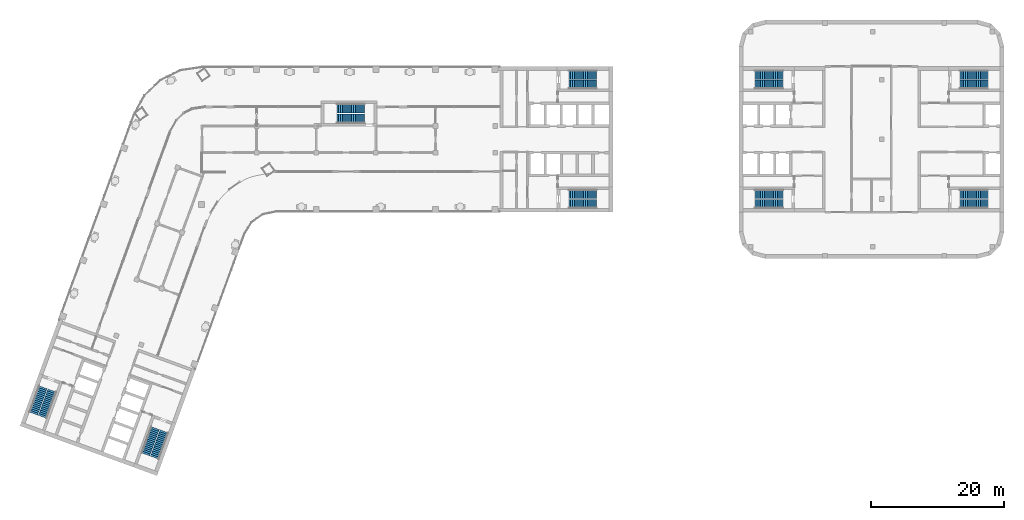
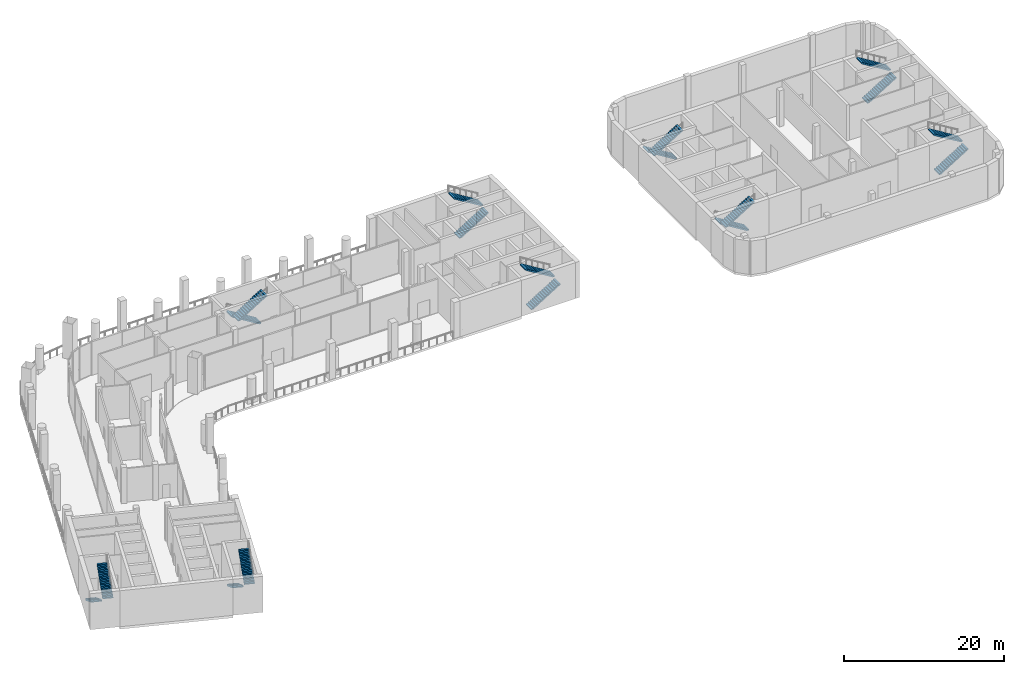
# One storey, part 15 of 19: 18 stair flights, 9 elements without a shape of their own.
"""IFC4 building model written with IfcOpenShell, lengths in metres."""

from ifc_helpers import new_model, si_unit, direction, frame, origin, place, context, subcontext, project, spatial, polyline, outline, extrude, material, type_object, element, aggregate, save


model = new_model("IFC4")

# Units and contexts
model_context = context("Model", 3, precision=1e-05, world=origin(), true_north=direction((0.0, 1.0)))
body_context = subcontext(model_context, "Body", "Model", "MODEL_VIEW")
ifc_project = project(units=[si_unit("LENGTHUNIT", "METRE"), si_unit("AREAUNIT", "SQUARE_METRE"), si_unit("VOLUMEUNIT", "CUBIC_METRE"), si_unit("PLANEANGLEUNIT", "RADIAN"), si_unit("MASSUNIT", "GRAM", prefix="KILO")], contexts=[model_context])

# Site, building, storey
site_placement = place(None, origin())
site = spatial("IfcSite", under=ifc_project, at=site_placement, CompositionType="ELEMENT")
building_placement = place(site_placement, origin())
building = spatial("IfcBuilding", under=site, at=building_placement, Name="Skarvind Civic Tower", CompositionType="ELEMENT")
storey_placement = place(building_placement, frame((0.0, 0.0, 75.5)))
storey = spatial("IfcBuildingStorey", under=building, at=storey_placement, Name="L17", CompositionType="ELEMENT", Elevation=75.5)

# Stair, stair flights
ifc_material = material(Name="Concrete C40/50", Category="concrete")
stair_type_1 = type_object("IfcStairType", Name="Exit stair 1450, half-turn, concrete", PredefinedType="HALF_TURN_STAIR", material=ifc_material)
stair_1_placement = place(storey_placement, origin())
stair_1 = element("IfcStair", 1, at=stair_1_placement, inside=storey, type_object=stair_type_1, Name="Exit stair CM", PredefinedType="HALF_TURN_STAIR")
stair_flight_type_1 = type_object("IfcStairFlightType", Name="Stair flight 1450, concrete", PredefinedType="STRAIGHT", material=ifc_material)
stair_flight_1_placement = place(storey_placement, frame((70.550048828125, 132.675048828125, 0.0), z_axis=(0.0, 0.0, 1.0), x_axis=(-1.0, 0.0, 0.0)))
stair_flight_1 = element("IfcStairFlight", 2, at=stair_flight_1_placement, type_object=stair_flight_type_1, Name="ST-CM flight 1", NumberOfRisers=16, NumberOfTreads=15, PredefinedType="STRAIGHT", RiserHeight=0.171875, TreadLength=0.28, context=body_context, shape_type="SweptSolid", body=[
    extrude(outline(polyline([(0.0, 0.0), (0.0, 0.171875), (0.280029296875, 0.171875), (0.280029296875, 0.34375), (0.56005859375, 0.34375), (0.56005859375, 0.515625), (0.840087890625, 0.515625), (0.840087890625, 0.6875), (1.1201171875, 0.6875), (1.1201171875, 0.859375), (1.39990234375, 0.859375), (1.39990234375, 1.03125), (1.679931640625, 1.03125), (1.679931640625, 1.203125), (1.9599609375, 1.203125), (1.9599609375, 1.375), (2.239990234375, 1.375), (2.239990234375, 1.546875), (2.52001953125, 1.546875), (2.52001953125, 1.71875), (2.800048828125, 1.71875), (2.800048828125, 1.890625), (3.080078125, 1.890625), (3.080078125, 2.0625), (3.360107421875, 2.0625), (3.360107421875, 2.234375), (3.639892578125, 2.234375), (3.639892578125, 2.40625), (3.919921875, 2.40625), (3.919921875, 2.578125), (4.199951171875, 2.578125), (4.199951171875, 2.75), (4.199951171875, 2.40234375), (0.28662109375, 0.0), (0.0, 0.0)])), frame((0.0, 0.72509765625, 0.0), z_axis=(0.0, -1.0, 0.0), x_axis=(1.0, 0.0, 0.0)), (0.0, 0.0, 1.0), 1.449951171875),
])
stair_flight_2_placement = place(storey_placement, frame((66.35009765625, 131.125, 2.75), z_axis=(0.0, 0.0, 1.0), x_axis=(1.0, 0.0, 0.0)))
stair_flight_2 = element("IfcStairFlight", 3, at=stair_flight_2_placement, type_object=stair_flight_type_1, Name="ST-CM flight 2", NumberOfRisers=16, NumberOfTreads=15, PredefinedType="STRAIGHT", RiserHeight=0.171875, TreadLength=0.28, context=body_context, shape_type="SweptSolid", body=[
    extrude(outline(polyline([(0.0, 0.0), (0.0, 0.171875), (0.280029296875, 0.171875), (0.280029296875, 0.34375), (0.56005859375, 0.34375), (0.56005859375, 0.515625), (0.840087890625, 0.515625), (0.840087890625, 0.6875), (1.1201171875, 0.6875), (1.1201171875, 0.859375), (1.39990234375, 0.859375), (1.39990234375, 1.03125), (1.679931640625, 1.03125), (1.679931640625, 1.203125), (1.9599609375, 1.203125), (1.9599609375, 1.375), (2.239990234375, 1.375), (2.239990234375, 1.546875), (2.52001953125, 1.546875), (2.52001953125, 1.71875), (2.800048828125, 1.71875), (2.800048828125, 1.890625), (3.080078125, 1.890625), (3.080078125, 2.0625), (3.360107421875, 2.0625), (3.360107421875, 2.234375), (3.639892578125, 2.234375), (3.639892578125, 2.40625), (3.919921875, 2.40625), (3.919921875, 2.578125), (4.199951171875, 2.578125), (4.199951171875, 2.75), (4.199951171875, 2.40234375), (0.28662109375, 0.0), (0.0, 0.0)])), frame((0.0, 0.72509765625, 0.0), z_axis=(0.0, -1.0, 0.0), x_axis=(1.0, 0.0, 0.0)), (0.0, 0.0, 1.0), 1.449951171875),
])
aggregate(stair_1, [stair_flight_1, stair_flight_2])

stair_type_2 = type_object("IfcStairType", Name="Exit stair, half-turn, concrete", PredefinedType="HALF_TURN_STAIR", material=ifc_material)
stair_2_placement = place(storey_placement, origin())
stair_2 = element("IfcStair", 4, at=stair_2_placement, inside=storey, type_object=stair_type_2, Name="Exit stair C1S", PredefinedType="HALF_TURN_STAIR")
stair_flight_type_2 = type_object("IfcStairFlightType", Name="Stair flight, concrete", PredefinedType="STRAIGHT", material=ifc_material)
stair_flight_3_placement = place(storey_placement, frame((101.35009765625, 136.27490234375, 0.0), z_axis=(0.0, 0.0, 1.0), x_axis=(1.0, 0.0, 0.0)))
stair_flight_3 = element("IfcStairFlight", 5, at=stair_flight_3_placement, type_object=stair_flight_type_2, Name="ST-C1S flight 1", NumberOfRisers=16, NumberOfTreads=15, PredefinedType="STRAIGHT", RiserHeight=0.171875, TreadLength=0.28, context=body_context, shape_type="SweptSolid", body=[
    extrude(outline(polyline([(0.0, 0.0), (0.0, 0.171875), (0.280029296875, 0.171875), (0.280029296875, 0.34375), (0.56005859375, 0.34375), (0.56005859375, 0.515625), (0.840087890625, 0.515625), (0.840087890625, 0.6875), (1.1201171875, 0.6875), (1.1201171875, 0.859375), (1.39990234375, 0.859375), (1.39990234375, 1.03125), (1.679931640625, 1.03125), (1.679931640625, 1.203125), (1.9599609375, 1.203125), (1.9599609375, 1.375), (2.239990234375, 1.375), (2.239990234375, 1.546875), (2.52001953125, 1.546875), (2.52001953125, 1.71875), (2.800048828125, 1.71875), (2.800048828125, 1.890625), (3.080078125, 1.890625), (3.080078125, 2.0625), (3.360107421875, 2.0625), (3.360107421875, 2.234375), (3.639892578125, 2.234375), (3.639892578125, 2.40625), (3.919921875, 2.40625), (3.919921875, 2.578125), (4.199951171875, 2.578125), (4.199951171875, 2.75), (4.199951171875, 2.40234375), (0.28662109375, 0.0), (0.0, 0.0)])), frame((0.0, 0.675048828125, 0.0), z_axis=(0.0, -1.0, 0.0), x_axis=(1.0, 0.0, 0.0)), (0.0, 0.0, 1.0), 1.35009765625),
])
stair_flight_4_placement = place(storey_placement, frame((105.550048828125, 137.72509765625, 2.75), z_axis=(0.0, 0.0, 1.0), x_axis=(-1.0, 0.0, 0.0)))
stair_flight_4 = element("IfcStairFlight", 6, at=stair_flight_4_placement, type_object=stair_flight_type_2, Name="ST-C1S flight 2", NumberOfRisers=16, NumberOfTreads=15, PredefinedType="STRAIGHT", RiserHeight=0.171875, TreadLength=0.28, context=body_context, shape_type="SweptSolid", body=[
    extrude(outline(polyline([(0.0, 0.0), (0.0, 0.171875), (0.280029296875, 0.171875), (0.280029296875, 0.34375), (0.56005859375, 0.34375), (0.56005859375, 0.515625), (0.840087890625, 0.515625), (0.840087890625, 0.6875), (1.1201171875, 0.6875), (1.1201171875, 0.859375), (1.39990234375, 0.859375), (1.39990234375, 1.03125), (1.679931640625, 1.03125), (1.679931640625, 1.203125), (1.9599609375, 1.203125), (1.9599609375, 1.375), (2.239990234375, 1.375), (2.239990234375, 1.546875), (2.52001953125, 1.546875), (2.52001953125, 1.71875), (2.800048828125, 1.71875), (2.800048828125, 1.890625), (3.080078125, 1.890625), (3.080078125, 2.0625), (3.360107421875, 2.0625), (3.360107421875, 2.234375), (3.639892578125, 2.234375), (3.639892578125, 2.40625), (3.919921875, 2.40625), (3.919921875, 2.578125), (4.199951171875, 2.578125), (4.199951171875, 2.75), (4.199951171875, 2.40234375), (0.28662109375, 0.0), (0.0, 0.0)])), frame((0.0, 0.675048828125, 0.0), z_axis=(0.0, -1.0, 0.0), x_axis=(1.0, 0.0, 0.0)), (0.0, 0.0, 1.0), 1.35009765625),
])
aggregate(stair_2, [stair_flight_3, stair_flight_4])

stair_3_placement = place(storey_placement, origin())
stair_3 = element("IfcStair", 7, at=stair_3_placement, inside=storey, type_object=stair_type_2, Name="Exit stair C1N", PredefinedType="HALF_TURN_STAIR")
stair_flight_5_placement = place(storey_placement, frame((101.35009765625, 118.27490234375, 0.0), z_axis=(0.0, 0.0, 1.0), x_axis=(1.0, 0.0, 0.0)))
stair_flight_5 = element("IfcStairFlight", 8, at=stair_flight_5_placement, type_object=stair_flight_type_2, Name="ST-C1N flight 1", NumberOfRisers=16, NumberOfTreads=15, PredefinedType="STRAIGHT", RiserHeight=0.171875, TreadLength=0.28, context=body_context, shape_type="SweptSolid", body=[
    extrude(outline(polyline([(0.0, 0.0), (0.0, 0.171875), (0.280029296875, 0.171875), (0.280029296875, 0.34375), (0.56005859375, 0.34375), (0.56005859375, 0.515625), (0.840087890625, 0.515625), (0.840087890625, 0.6875), (1.1201171875, 0.6875), (1.1201171875, 0.859375), (1.39990234375, 0.859375), (1.39990234375, 1.03125), (1.679931640625, 1.03125), (1.679931640625, 1.203125), (1.9599609375, 1.203125), (1.9599609375, 1.375), (2.239990234375, 1.375), (2.239990234375, 1.546875), (2.52001953125, 1.546875), (2.52001953125, 1.71875), (2.800048828125, 1.71875), (2.800048828125, 1.890625), (3.080078125, 1.890625), (3.080078125, 2.0625), (3.360107421875, 2.0625), (3.360107421875, 2.234375), (3.639892578125, 2.234375), (3.639892578125, 2.40625), (3.919921875, 2.40625), (3.919921875, 2.578125), (4.199951171875, 2.578125), (4.199951171875, 2.75), (4.199951171875, 2.40234375), (0.28662109375, 0.0), (0.0, 0.0)])), frame((0.0, 0.675048828125, 0.0), z_axis=(0.0, -1.0, 0.0), x_axis=(1.0, 0.0, 0.0)), (0.0, 0.0, 1.0), 1.35009765625),
])
stair_flight_6_placement = place(storey_placement, frame((105.550048828125, 119.72509765625, 2.75), z_axis=(0.0, 0.0, 1.0), x_axis=(-1.0, 0.0, 0.0)))
stair_flight_6 = element("IfcStairFlight", 9, at=stair_flight_6_placement, type_object=stair_flight_type_2, Name="ST-C1N flight 2", NumberOfRisers=16, NumberOfTreads=15, PredefinedType="STRAIGHT", RiserHeight=0.171875, TreadLength=0.28, context=body_context, shape_type="SweptSolid", body=[
    extrude(outline(polyline([(0.0, 0.0), (0.0, 0.171875), (0.280029296875, 0.171875), (0.280029296875, 0.34375), (0.56005859375, 0.34375), (0.56005859375, 0.515625), (0.840087890625, 0.515625), (0.840087890625, 0.6875), (1.1201171875, 0.6875), (1.1201171875, 0.859375), (1.39990234375, 0.859375), (1.39990234375, 1.03125), (1.679931640625, 1.03125), (1.679931640625, 1.203125), (1.9599609375, 1.203125), (1.9599609375, 1.375), (2.239990234375, 1.375), (2.239990234375, 1.546875), (2.52001953125, 1.546875), (2.52001953125, 1.71875), (2.800048828125, 1.71875), (2.800048828125, 1.890625), (3.080078125, 1.890625), (3.080078125, 2.0625), (3.360107421875, 2.0625), (3.360107421875, 2.234375), (3.639892578125, 2.234375), (3.639892578125, 2.40625), (3.919921875, 2.40625), (3.919921875, 2.578125), (4.199951171875, 2.578125), (4.199951171875, 2.75), (4.199951171875, 2.40234375), (0.28662109375, 0.0), (0.0, 0.0)])), frame((0.0, 0.675048828125, 0.0), z_axis=(0.0, -1.0, 0.0), x_axis=(1.0, 0.0, 0.0)), (0.0, 0.0, 1.0), 1.35009765625),
])
aggregate(stair_3, [stair_flight_5, stair_flight_6])

stair_4_placement = place(storey_placement, origin())
stair_4 = element("IfcStair", 10, at=stair_4_placement, inside=storey, type_object=stair_type_2, Name="Exit stair C2S", PredefinedType="HALF_TURN_STAIR")
stair_flight_7_placement = place(storey_placement, frame((38.949462890625, 84.43408203125, 0.0), z_axis=(0.0, 0.0, 1.0), x_axis=(-0.342020143326, -0.939692620786, 0.0)))
stair_flight_7 = element("IfcStairFlight", 11, at=stair_flight_7_placement, type_object=stair_flight_type_2, Name="ST-C2S flight 1", NumberOfRisers=16, NumberOfTreads=15, PredefinedType="STRAIGHT", RiserHeight=0.171875, TreadLength=0.28, context=body_context, shape_type="SweptSolid", body=[
    extrude(outline(polyline([(0.0, 0.0), (0.0, 0.171875), (0.280029296875, 0.171875), (0.280029296875, 0.34375), (0.56005859375, 0.34375), (0.56005859375, 0.515625), (0.840087890625, 0.515625), (0.840087890625, 0.6875), (1.1201171875, 0.6875), (1.1201171875, 0.859375), (1.39990234375, 0.859375), (1.39990234375, 1.03125), (1.679931640625, 1.03125), (1.679931640625, 1.203125), (1.9599609375, 1.203125), (1.9599609375, 1.375), (2.239990234375, 1.375), (2.239990234375, 1.546875), (2.52001953125, 1.546875), (2.52001953125, 1.71875), (2.800048828125, 1.71875), (2.800048828125, 1.890625), (3.080078125, 1.890625), (3.080078125, 2.0625), (3.360107421875, 2.0625), (3.360107421875, 2.234375), (3.639892578125, 2.234375), (3.639892578125, 2.40625), (3.919921875, 2.40625), (3.919921875, 2.578125), (4.199951171875, 2.578125), (4.199951171875, 2.75), (4.199951171875, 2.40234375), (0.28662109375, 0.0), (0.0, 0.0)])), frame((0.0, 0.675048828125, 0.0), z_axis=(0.0, -1.0, 0.0), x_axis=(1.0, 0.0, 0.0)), (0.0, 0.0, 1.0), 1.35009765625),
])
stair_flight_8_placement = place(storey_placement, frame((38.87548828125, 79.991455078125, 2.75), z_axis=(0.0, 0.0, 1.0), x_axis=(0.342020143326, 0.939692620786, 0.0)))
stair_flight_8 = element("IfcStairFlight", 12, at=stair_flight_8_placement, type_object=stair_flight_type_2, Name="ST-C2S flight 2", NumberOfRisers=16, NumberOfTreads=15, PredefinedType="STRAIGHT", RiserHeight=0.171875, TreadLength=0.28, context=body_context, shape_type="SweptSolid", body=[
    extrude(outline(polyline([(0.0, 0.0), (0.0, 0.171875), (0.280029296875, 0.171875), (0.280029296875, 0.34375), (0.56005859375, 0.34375), (0.56005859375, 0.515625), (0.840087890625, 0.515625), (0.840087890625, 0.6875), (1.1201171875, 0.6875), (1.1201171875, 0.859375), (1.39990234375, 0.859375), (1.39990234375, 1.03125), (1.679931640625, 1.03125), (1.679931640625, 1.203125), (1.9599609375, 1.203125), (1.9599609375, 1.375), (2.239990234375, 1.375), (2.239990234375, 1.546875), (2.52001953125, 1.546875), (2.52001953125, 1.71875), (2.800048828125, 1.71875), (2.800048828125, 1.890625), (3.080078125, 1.890625), (3.080078125, 2.0625), (3.360107421875, 2.0625), (3.360107421875, 2.234375), (3.639892578125, 2.234375), (3.639892578125, 2.40625), (3.919921875, 2.40625), (3.919921875, 2.578125), (4.199951171875, 2.578125), (4.199951171875, 2.75), (4.199951171875, 2.40234375), (0.28662109375, 0.0), (0.0, 0.0)])), frame((0.0, 0.675048828125, 0.0), z_axis=(0.0, -1.0, 0.0), x_axis=(1.0, 0.0, 0.0)), (0.0, 0.0, 1.0), 1.35009765625),
])
aggregate(stair_4, [stair_flight_7, stair_flight_8])

stair_5_placement = place(storey_placement, origin())
stair_5 = element("IfcStair", 13, at=stair_5_placement, inside=storey, type_object=stair_type_2, Name="Exit stair C2N", PredefinedType="HALF_TURN_STAIR")
stair_flight_9_placement = place(storey_placement, frame((22.034912109375, 90.590576171875, 0.0), z_axis=(0.0, 0.0, 1.0), x_axis=(-0.342020143326, -0.939692620786, 0.0)))
stair_flight_9 = element("IfcStairFlight", 14, at=stair_flight_9_placement, type_object=stair_flight_type_2, Name="ST-C2N flight 1", NumberOfRisers=16, NumberOfTreads=15, PredefinedType="STRAIGHT", RiserHeight=0.171875, TreadLength=0.28, context=body_context, shape_type="SweptSolid", body=[
    extrude(outline(polyline([(0.0, 0.0), (0.0, 0.171875), (0.280029296875, 0.171875), (0.280029296875, 0.34375), (0.56005859375, 0.34375), (0.56005859375, 0.515625), (0.840087890625, 0.515625), (0.840087890625, 0.6875), (1.1201171875, 0.6875), (1.1201171875, 0.859375), (1.39990234375, 0.859375), (1.39990234375, 1.03125), (1.679931640625, 1.03125), (1.679931640625, 1.203125), (1.9599609375, 1.203125), (1.9599609375, 1.375), (2.239990234375, 1.375), (2.239990234375, 1.546875), (2.52001953125, 1.546875), (2.52001953125, 1.71875), (2.800048828125, 1.71875), (2.800048828125, 1.890625), (3.080078125, 1.890625), (3.080078125, 2.0625), (3.360107421875, 2.0625), (3.360107421875, 2.234375), (3.639892578125, 2.234375), (3.639892578125, 2.40625), (3.919921875, 2.40625), (3.919921875, 2.578125), (4.199951171875, 2.578125), (4.199951171875, 2.75), (4.199951171875, 2.40234375), (0.28662109375, 0.0), (0.0, 0.0)])), frame((0.0, 0.675048828125, 0.0), z_axis=(0.0, -1.0, 0.0), x_axis=(1.0, 0.0, 0.0)), (0.0, 0.0, 1.0), 1.35009765625),
])
stair_flight_10_placement = place(storey_placement, frame((21.9609375, 86.14794921875, 2.75), z_axis=(0.0, 0.0, 1.0), x_axis=(0.342020143326, 0.939692620786, 0.0)))
stair_flight_10 = element("IfcStairFlight", 15, at=stair_flight_10_placement, type_object=stair_flight_type_2, Name="ST-C2N flight 2", NumberOfRisers=16, NumberOfTreads=15, PredefinedType="STRAIGHT", RiserHeight=0.171875, TreadLength=0.28, context=body_context, shape_type="SweptSolid", body=[
    extrude(outline(polyline([(0.0, 0.0), (0.0, 0.171875), (0.280029296875, 0.171875), (0.280029296875, 0.34375), (0.56005859375, 0.34375), (0.56005859375, 0.515625), (0.840087890625, 0.515625), (0.840087890625, 0.6875), (1.1201171875, 0.6875), (1.1201171875, 0.859375), (1.39990234375, 0.859375), (1.39990234375, 1.03125), (1.679931640625, 1.03125), (1.679931640625, 1.203125), (1.9599609375, 1.203125), (1.9599609375, 1.375), (2.239990234375, 1.375), (2.239990234375, 1.546875), (2.52001953125, 1.546875), (2.52001953125, 1.71875), (2.800048828125, 1.71875), (2.800048828125, 1.890625), (3.080078125, 1.890625), (3.080078125, 2.0625), (3.360107421875, 2.0625), (3.360107421875, 2.234375), (3.639892578125, 2.234375), (3.639892578125, 2.40625), (3.919921875, 2.40625), (3.919921875, 2.578125), (4.199951171875, 2.578125), (4.199951171875, 2.75), (4.199951171875, 2.40234375), (0.28662109375, 0.0), (0.0, 0.0)])), frame((0.0, 0.675048828125, 0.0), z_axis=(0.0, -1.0, 0.0), x_axis=(1.0, 0.0, 0.0)), (0.0, 0.0, 1.0), 1.35009765625),
])
aggregate(stair_5, [stair_flight_9, stair_flight_10])

stair_6_placement = place(storey_placement, origin())
stair_6 = element("IfcStair", 16, at=stair_6_placement, inside=storey, type_object=stair_type_2, Name="Exit stair CAS", PredefinedType="HALF_TURN_STAIR")
stair_flight_11_placement = place(storey_placement, frame((133.64990234375, 119.72509765625, 0.0), z_axis=(0.0, 0.0, 1.0), x_axis=(-1.0, 0.0, 0.0)))
stair_flight_11 = element("IfcStairFlight", 17, at=stair_flight_11_placement, type_object=stair_flight_type_2, Name="ST-CAS flight 1", NumberOfRisers=16, NumberOfTreads=15, PredefinedType="STRAIGHT", RiserHeight=0.171875, TreadLength=0.28, context=body_context, shape_type="SweptSolid", body=[
    extrude(outline(polyline([(0.0, 0.0), (0.0, 0.171875), (0.280029296875, 0.171875), (0.280029296875, 0.34375), (0.56005859375, 0.34375), (0.56005859375, 0.515625), (0.840087890625, 0.515625), (0.840087890625, 0.6875), (1.1201171875, 0.6875), (1.1201171875, 0.859375), (1.39990234375, 0.859375), (1.39990234375, 1.03125), (1.679931640625, 1.03125), (1.679931640625, 1.203125), (1.9599609375, 1.203125), (1.9599609375, 1.375), (2.239990234375, 1.375), (2.239990234375, 1.546875), (2.52001953125, 1.546875), (2.52001953125, 1.71875), (2.800048828125, 1.71875), (2.800048828125, 1.890625), (3.080078125, 1.890625), (3.080078125, 2.0625), (3.360107421875, 2.0625), (3.360107421875, 2.234375), (3.639892578125, 2.234375), (3.639892578125, 2.40625), (3.919921875, 2.40625), (3.919921875, 2.578125), (4.199951171875, 2.578125), (4.199951171875, 2.75), (4.199951171875, 2.40234375), (0.28662109375, 0.0), (0.0, 0.0)])), frame((0.0, 0.675048828125, 0.0), z_axis=(0.0, -1.0, 0.0), x_axis=(1.0, 0.0, 0.0)), (0.0, 0.0, 1.0), 1.35009765625),
])
stair_flight_12_placement = place(storey_placement, frame((129.449951171875, 118.27490234375, 2.75), z_axis=(0.0, 0.0, 1.0), x_axis=(1.0, 0.0, 0.0)))
stair_flight_12 = element("IfcStairFlight", 18, at=stair_flight_12_placement, type_object=stair_flight_type_2, Name="ST-CAS flight 2", NumberOfRisers=16, NumberOfTreads=15, PredefinedType="STRAIGHT", RiserHeight=0.171875, TreadLength=0.28, context=body_context, shape_type="SweptSolid", body=[
    extrude(outline(polyline([(0.0, 0.0), (0.0, 0.171875), (0.280029296875, 0.171875), (0.280029296875, 0.34375), (0.56005859375, 0.34375), (0.56005859375, 0.515625), (0.840087890625, 0.515625), (0.840087890625, 0.6875), (1.1201171875, 0.6875), (1.1201171875, 0.859375), (1.39990234375, 0.859375), (1.39990234375, 1.03125), (1.679931640625, 1.03125), (1.679931640625, 1.203125), (1.9599609375, 1.203125), (1.9599609375, 1.375), (2.239990234375, 1.375), (2.239990234375, 1.546875), (2.52001953125, 1.546875), (2.52001953125, 1.71875), (2.800048828125, 1.71875), (2.800048828125, 1.890625), (3.080078125, 1.890625), (3.080078125, 2.0625), (3.360107421875, 2.0625), (3.360107421875, 2.234375), (3.639892578125, 2.234375), (3.639892578125, 2.40625), (3.919921875, 2.40625), (3.919921875, 2.578125), (4.199951171875, 2.578125), (4.199951171875, 2.75), (4.199951171875, 2.40234375), (0.28662109375, 0.0), (0.0, 0.0)])), frame((0.0, 0.675048828125, 0.0), z_axis=(0.0, -1.0, 0.0), x_axis=(1.0, 0.0, 0.0)), (0.0, 0.0, 1.0), 1.35009765625),
])
aggregate(stair_6, [stair_flight_11, stair_flight_12])

stair_7_placement = place(storey_placement, origin())
stair_7 = element("IfcStair", 19, at=stair_7_placement, inside=storey, type_object=stair_type_2, Name="Exit stair CAN", PredefinedType="HALF_TURN_STAIR")
stair_flight_13_placement = place(storey_placement, frame((133.64990234375, 137.72509765625, 0.0), z_axis=(0.0, 0.0, 1.0), x_axis=(-1.0, 0.0, 0.0)))
stair_flight_13 = element("IfcStairFlight", 20, at=stair_flight_13_placement, type_object=stair_flight_type_2, Name="ST-CAN flight 1", NumberOfRisers=16, NumberOfTreads=15, PredefinedType="STRAIGHT", RiserHeight=0.171875, TreadLength=0.28, context=body_context, shape_type="SweptSolid", body=[
    extrude(outline(polyline([(0.0, 0.0), (0.0, 0.171875), (0.280029296875, 0.171875), (0.280029296875, 0.34375), (0.56005859375, 0.34375), (0.56005859375, 0.515625), (0.840087890625, 0.515625), (0.840087890625, 0.6875), (1.1201171875, 0.6875), (1.1201171875, 0.859375), (1.39990234375, 0.859375), (1.39990234375, 1.03125), (1.679931640625, 1.03125), (1.679931640625, 1.203125), (1.9599609375, 1.203125), (1.9599609375, 1.375), (2.239990234375, 1.375), (2.239990234375, 1.546875), (2.52001953125, 1.546875), (2.52001953125, 1.71875), (2.800048828125, 1.71875), (2.800048828125, 1.890625), (3.080078125, 1.890625), (3.080078125, 2.0625), (3.360107421875, 2.0625), (3.360107421875, 2.234375), (3.639892578125, 2.234375), (3.639892578125, 2.40625), (3.919921875, 2.40625), (3.919921875, 2.578125), (4.199951171875, 2.578125), (4.199951171875, 2.75), (4.199951171875, 2.40234375), (0.28662109375, 0.0), (0.0, 0.0)])), frame((0.0, 0.675048828125, 0.0), z_axis=(0.0, -1.0, 0.0), x_axis=(1.0, 0.0, 0.0)), (0.0, 0.0, 1.0), 1.35009765625),
])
stair_flight_14_placement = place(storey_placement, frame((129.449951171875, 136.27490234375, 2.75), z_axis=(0.0, 0.0, 1.0), x_axis=(1.0, 0.0, 0.0)))
stair_flight_14 = element("IfcStairFlight", 21, at=stair_flight_14_placement, type_object=stair_flight_type_2, Name="ST-CAN flight 2", NumberOfRisers=16, NumberOfTreads=15, PredefinedType="STRAIGHT", RiserHeight=0.171875, TreadLength=0.28, context=body_context, shape_type="SweptSolid", body=[
    extrude(outline(polyline([(0.0, 0.0), (0.0, 0.171875), (0.280029296875, 0.171875), (0.280029296875, 0.34375), (0.56005859375, 0.34375), (0.56005859375, 0.515625), (0.840087890625, 0.515625), (0.840087890625, 0.6875), (1.1201171875, 0.6875), (1.1201171875, 0.859375), (1.39990234375, 0.859375), (1.39990234375, 1.03125), (1.679931640625, 1.03125), (1.679931640625, 1.203125), (1.9599609375, 1.203125), (1.9599609375, 1.375), (2.239990234375, 1.375), (2.239990234375, 1.546875), (2.52001953125, 1.546875), (2.52001953125, 1.71875), (2.800048828125, 1.71875), (2.800048828125, 1.890625), (3.080078125, 1.890625), (3.080078125, 2.0625), (3.360107421875, 2.0625), (3.360107421875, 2.234375), (3.639892578125, 2.234375), (3.639892578125, 2.40625), (3.919921875, 2.40625), (3.919921875, 2.578125), (4.199951171875, 2.578125), (4.199951171875, 2.75), (4.199951171875, 2.40234375), (0.28662109375, 0.0), (0.0, 0.0)])), frame((0.0, 0.675048828125, 0.0), z_axis=(0.0, -1.0, 0.0), x_axis=(1.0, 0.0, 0.0)), (0.0, 0.0, 1.0), 1.35009765625),
])
aggregate(stair_7, [stair_flight_13, stair_flight_14])

stair_8_placement = place(storey_placement, origin())
stair_8 = element("IfcStair", 22, at=stair_8_placement, inside=storey, type_object=stair_type_2, Name="Exit stair CBS", PredefinedType="HALF_TURN_STAIR")
stair_flight_15_placement = place(storey_placement, frame((160.35009765625, 136.27490234375, 0.0), z_axis=(0.0, 0.0, 1.0), x_axis=(1.0, 0.0, 0.0)))
stair_flight_15 = element("IfcStairFlight", 23, at=stair_flight_15_placement, type_object=stair_flight_type_2, Name="ST-CBS flight 1", NumberOfRisers=16, NumberOfTreads=15, PredefinedType="STRAIGHT", RiserHeight=0.171875, TreadLength=0.28, context=body_context, shape_type="SweptSolid", body=[
    extrude(outline(polyline([(0.0, 0.0), (0.0, 0.171875), (0.280029296875, 0.171875), (0.280029296875, 0.34375), (0.56005859375, 0.34375), (0.56005859375, 0.515625), (0.840087890625, 0.515625), (0.840087890625, 0.6875), (1.1201171875, 0.6875), (1.1201171875, 0.859375), (1.39990234375, 0.859375), (1.39990234375, 1.03125), (1.679931640625, 1.03125), (1.679931640625, 1.203125), (1.9599609375, 1.203125), (1.9599609375, 1.375), (2.239990234375, 1.375), (2.239990234375, 1.546875), (2.52001953125, 1.546875), (2.52001953125, 1.71875), (2.800048828125, 1.71875), (2.800048828125, 1.890625), (3.080078125, 1.890625), (3.080078125, 2.0625), (3.360107421875, 2.0625), (3.360107421875, 2.234375), (3.639892578125, 2.234375), (3.639892578125, 2.40625), (3.919921875, 2.40625), (3.919921875, 2.578125), (4.199951171875, 2.578125), (4.199951171875, 2.75), (4.199951171875, 2.40234375), (0.28662109375, 0.0), (0.0, 0.0)])), frame((0.0, 0.675048828125, 0.0), z_axis=(0.0, -1.0, 0.0), x_axis=(1.0, 0.0, 0.0)), (0.0, 0.0, 1.0), 1.35009765625),
])
stair_flight_16_placement = place(storey_placement, frame((164.550048828125, 137.72509765625, 2.75), z_axis=(0.0, 0.0, 1.0), x_axis=(-1.0, 0.0, 0.0)))
stair_flight_16 = element("IfcStairFlight", 24, at=stair_flight_16_placement, type_object=stair_flight_type_2, Name="ST-CBS flight 2", NumberOfRisers=16, NumberOfTreads=15, PredefinedType="STRAIGHT", RiserHeight=0.171875, TreadLength=0.28, context=body_context, shape_type="SweptSolid", body=[
    extrude(outline(polyline([(0.0, 0.0), (0.0, 0.171875), (0.280029296875, 0.171875), (0.280029296875, 0.34375), (0.56005859375, 0.34375), (0.56005859375, 0.515625), (0.840087890625, 0.515625), (0.840087890625, 0.6875), (1.1201171875, 0.6875), (1.1201171875, 0.859375), (1.39990234375, 0.859375), (1.39990234375, 1.03125), (1.679931640625, 1.03125), (1.679931640625, 1.203125), (1.9599609375, 1.203125), (1.9599609375, 1.375), (2.239990234375, 1.375), (2.239990234375, 1.546875), (2.52001953125, 1.546875), (2.52001953125, 1.71875), (2.800048828125, 1.71875), (2.800048828125, 1.890625), (3.080078125, 1.890625), (3.080078125, 2.0625), (3.360107421875, 2.0625), (3.360107421875, 2.234375), (3.639892578125, 2.234375), (3.639892578125, 2.40625), (3.919921875, 2.40625), (3.919921875, 2.578125), (4.199951171875, 2.578125), (4.199951171875, 2.75), (4.199951171875, 2.40234375), (0.28662109375, 0.0), (0.0, 0.0)])), frame((0.0, 0.675048828125, 0.0), z_axis=(0.0, -1.0, 0.0), x_axis=(1.0, 0.0, 0.0)), (0.0, 0.0, 1.0), 1.35009765625),
])
aggregate(stair_8, [stair_flight_15, stair_flight_16])

stair_9_placement = place(storey_placement, origin())
stair_9 = element("IfcStair", 25, at=stair_9_placement, inside=storey, type_object=stair_type_2, Name="Exit stair CBN", PredefinedType="HALF_TURN_STAIR")
stair_flight_17_placement = place(storey_placement, frame((160.35009765625, 118.27490234375, 0.0), z_axis=(0.0, 0.0, 1.0), x_axis=(1.0, 0.0, 0.0)))
stair_flight_17 = element("IfcStairFlight", 26, at=stair_flight_17_placement, type_object=stair_flight_type_2, Name="ST-CBN flight 1", NumberOfRisers=16, NumberOfTreads=15, PredefinedType="STRAIGHT", RiserHeight=0.171875, TreadLength=0.28, context=body_context, shape_type="SweptSolid", body=[
    extrude(outline(polyline([(0.0, 0.0), (0.0, 0.171875), (0.280029296875, 0.171875), (0.280029296875, 0.34375), (0.56005859375, 0.34375), (0.56005859375, 0.515625), (0.840087890625, 0.515625), (0.840087890625, 0.6875), (1.1201171875, 0.6875), (1.1201171875, 0.859375), (1.39990234375, 0.859375), (1.39990234375, 1.03125), (1.679931640625, 1.03125), (1.679931640625, 1.203125), (1.9599609375, 1.203125), (1.9599609375, 1.375), (2.239990234375, 1.375), (2.239990234375, 1.546875), (2.52001953125, 1.546875), (2.52001953125, 1.71875), (2.800048828125, 1.71875), (2.800048828125, 1.890625), (3.080078125, 1.890625), (3.080078125, 2.0625), (3.360107421875, 2.0625), (3.360107421875, 2.234375), (3.639892578125, 2.234375), (3.639892578125, 2.40625), (3.919921875, 2.40625), (3.919921875, 2.578125), (4.199951171875, 2.578125), (4.199951171875, 2.75), (4.199951171875, 2.40234375), (0.28662109375, 0.0), (0.0, 0.0)])), frame((0.0, 0.675048828125, 0.0), z_axis=(0.0, -1.0, 0.0), x_axis=(1.0, 0.0, 0.0)), (0.0, 0.0, 1.0), 1.35009765625),
])
stair_flight_18_placement = place(storey_placement, frame((164.550048828125, 119.72509765625, 2.75), z_axis=(0.0, 0.0, 1.0), x_axis=(-1.0, 0.0, 0.0)))
stair_flight_18 = element("IfcStairFlight", 27, at=stair_flight_18_placement, type_object=stair_flight_type_2, Name="ST-CBN flight 2", NumberOfRisers=16, NumberOfTreads=15, PredefinedType="STRAIGHT", RiserHeight=0.171875, TreadLength=0.28, context=body_context, shape_type="SweptSolid", body=[
    extrude(outline(polyline([(0.0, 0.0), (0.0, 0.171875), (0.280029296875, 0.171875), (0.280029296875, 0.34375), (0.56005859375, 0.34375), (0.56005859375, 0.515625), (0.840087890625, 0.515625), (0.840087890625, 0.6875), (1.1201171875, 0.6875), (1.1201171875, 0.859375), (1.39990234375, 0.859375), (1.39990234375, 1.03125), (1.679931640625, 1.03125), (1.679931640625, 1.203125), (1.9599609375, 1.203125), (1.9599609375, 1.375), (2.239990234375, 1.375), (2.239990234375, 1.546875), (2.52001953125, 1.546875), (2.52001953125, 1.71875), (2.800048828125, 1.71875), (2.800048828125, 1.890625), (3.080078125, 1.890625), (3.080078125, 2.0625), (3.360107421875, 2.0625), (3.360107421875, 2.234375), (3.639892578125, 2.234375), (3.639892578125, 2.40625), (3.919921875, 2.40625), (3.919921875, 2.578125), (4.199951171875, 2.578125), (4.199951171875, 2.75), (4.199951171875, 2.40234375), (0.28662109375, 0.0), (0.0, 0.0)])), frame((0.0, 0.675048828125, 0.0), z_axis=(0.0, -1.0, 0.0), x_axis=(1.0, 0.0, 0.0)), (0.0, 0.0, 1.0), 1.35009765625),
])
aggregate(stair_9, [stair_flight_17, stair_flight_18])

save(model, "model.ifc")
